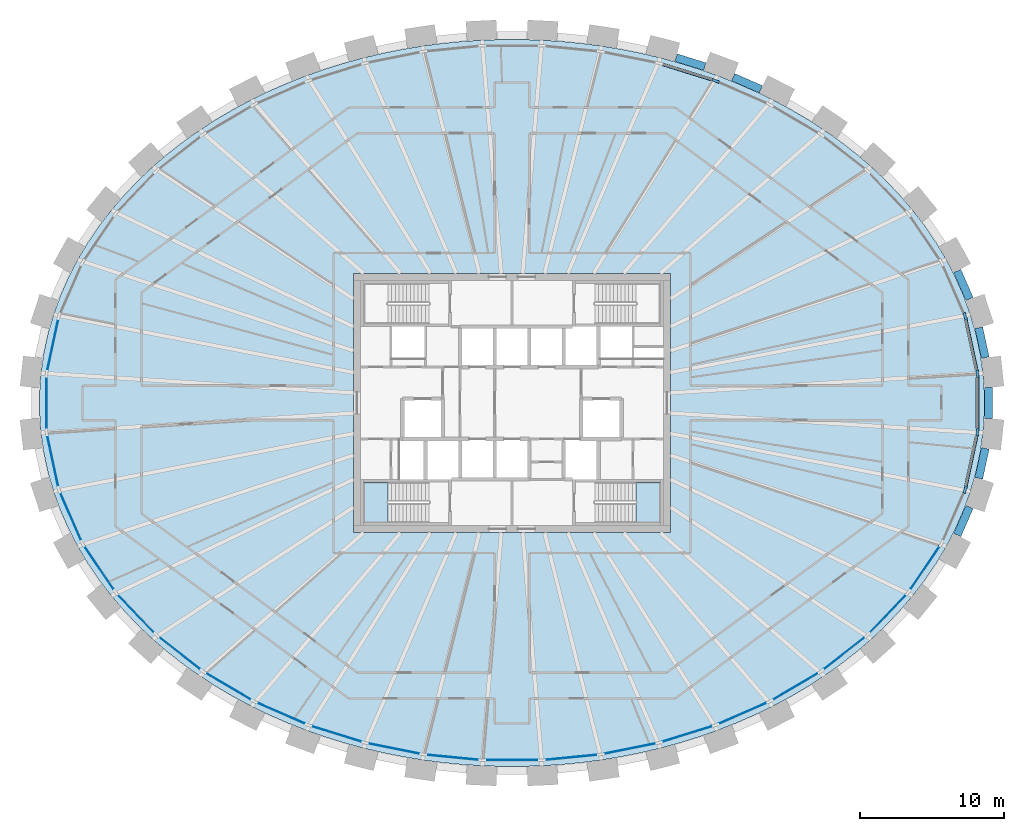
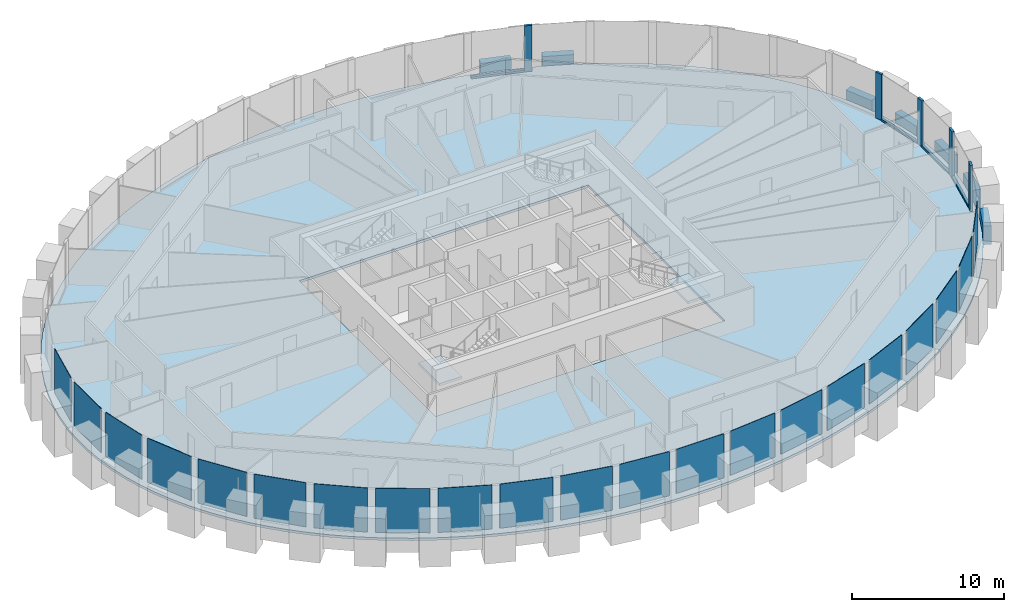
# One storey, part 4 of 12: 21 plates, 9 members, 7 beams, 3 slabs, 3 elements without a shape of their own.
"""IFC4 building model written with IfcOpenShell, lengths in metres."""

from ifc_helpers import new_model, si_unit, direction, frame, origin, origin_2d, place, context, subcontext, project, spatial, polyline, rectangle, outline, extrude, source, transform, mapped, material, layer, layer_set, material_profile, profile_set, type_object, element, aggregate, save


model = new_model("IFC4")

# Units and contexts
model_context = context("Model", 3, precision=1e-05, world=origin(), true_north=direction((0.0, 1.0)))
body_context = subcontext(model_context, "Body", "Model", "MODEL_VIEW")
ifc_project = project(units=[si_unit("LENGTHUNIT", "METRE"), si_unit("AREAUNIT", "SQUARE_METRE"), si_unit("VOLUMEUNIT", "CUBIC_METRE"), si_unit("PLANEANGLEUNIT", "RADIAN"), si_unit("MASSUNIT", "GRAM", prefix="KILO")], contexts=[model_context])

# Site, building, storey
site_placement = place(None, origin())
site = spatial("IfcSite", under=ifc_project, at=site_placement, CompositionType="ELEMENT")
building_placement = place(site_placement, origin())
building = spatial("IfcBuilding", under=site, at=building_placement, Name="Embergate Tower", CompositionType="ELEMENT")
storey_placement = place(building_placement, frame((0.0, 0.0, 246.10009765625)))
storey = spatial("IfcBuildingStorey", under=building, at=storey_placement, Name="L56", CompositionType="ELEMENT", Elevation=246.10009765625)

# Beams
ifc_material_1 = material(Name="Concrete C60", Category="concrete")
ifc_material_profile_1 = material_profile(ifc_material_1, rectangle(XDim=0.550048828125, YDim=1.5, at=origin_2d()), Name="RC 550x1500")
ifc_profile_set_1 = profile_set([ifc_material_profile_1], Name="Concrete C60")
beam_type = type_object("IfcBeamType", Name="Spandrel beam RC 550x1500 C60", PredefinedType="BEAM", material=ifc_profile_set_1)
shared_shape_1 = source(origin(), body_context, "Body", "SweptSolid", [
    extrude(rectangle(XDim=0.550048828125, YDim=1.5, at=origin_2d()), origin(), (0.0, 0.0, 1.0), 2.121337890625),
])
for number, where, z_axis, x_axis, name in (
    (1, (32.845947265625, 3.14892578125, 0.0), (-0.210259959119, 0.977645513257, 0.0), (-0.977645513257, -0.210259959119, 0.0), "SPN-L56-00"),
    (2, (32.39990234375, -5.222900390625, 0.0), (0.210259959119, 0.977645513257, 0.0), (-0.977645513257, 0.210259959119, 0.0), "SPN-L56-42"),
):
    element("IfcBeam", number, at=place(storey_placement, frame(where, z_axis=z_axis, x_axis=x_axis)), inside=storey, type_object=beam_type, Name=name, PredefinedType="BEAM", context=body_context, shape_type="MappedRepresentation", body=[
        mapped(shared_shape_1, transform((0.0, 0.0, 0.0))),
    ])
shared_shape_2 = source(origin(), body_context, "Body", "SweptSolid", [
    extrude(rectangle(XDim=0.550048828125, YDim=1.5, at=origin_2d()), origin(), (0.0, 0.0, 1.0), 2.118408203125),
])
for number, where, z_axis, x_axis, name in (
    (3, (31.75390625, 7.220947265625, 0.0), (-0.401653016285, 0.915791927519, 0.0), (-0.915791927519, -0.401653016285, 0.0), "SPN-L56-01"),
    (4, (30.903076171875, -9.160888671875, 0.0), (0.401653016285, 0.915791927519, 0.0), (-0.915791927519, 0.401653016285, 0.0), "SPN-L56-41"),
):
    element("IfcBeam", number, at=place(storey_placement, frame(where, z_axis=z_axis, x_axis=x_axis)), inside=storey, type_object=beam_type, Name=name, PredefinedType="BEAM", context=body_context, shape_type="MappedRepresentation", body=[
        mapped(shared_shape_2, transform((0.0, 0.0, 0.0))),
    ])
shared_shape_3 = source(origin(), body_context, "Body", "SweptSolid", [
    extrude(rectangle(XDim=0.550048828125, YDim=1.5, at=origin_2d()), origin(), (0.0, 0.0, 1.0), 2.093994140625),
])
beam_1_placement = place(storey_placement, frame((17.26904296875, 21.77587890625, 0.0), z_axis=(-0.916403340616, 0.400256064674, 0.0), x_axis=(-0.400256064674, -0.916403340616, 0.0)))
element("IfcBeam", 5, at=beam_1_placement, inside=storey, type_object=beam_type, Name="SPN-L56-06", PredefinedType="BEAM", context=body_context, shape_type="MappedRepresentation", body=[
    mapped(shared_shape_3, transform((0.0, 0.0, 0.0))),
])
shared_shape_4 = source(origin(), body_context, "Body", "SweptSolid", [
    extrude(rectangle(XDim=0.550048828125, YDim=1.5, at=origin_2d()), origin(), (0.0, 0.0, 1.0), 2.092529296875),
])
beam_2_placement = place(storey_placement, frame((13.383056640625, 23.347900390625, 0.0), z_axis=(-0.954794982035, 0.297265104378, 0.0), x_axis=(-0.297265104378, -0.954794982035, 0.0)))
element("IfcBeam", 6, at=beam_2_placement, inside=storey, type_object=beam_type, Name="SPN-L56-07", PredefinedType="BEAM", context=body_context, shape_type="MappedRepresentation", body=[
    mapped(shared_shape_4, transform((0.0, 0.0, 0.0))),
])
shared_shape_5 = source(origin(), body_context, "Body", "SweptSolid", [
    extrude(rectangle(XDim=0.550048828125, YDim=1.5, at=origin_2d()), origin(), (0.0, 0.0, 1.0), 2.1220703125),
])
beam_3_placement = place(storey_placement, frame((33.068115234375, -1.06103515625, 0.0), z_axis=(0.0, 1.0, 0.0), x_axis=(-1.0, 0.0, 0.0)))
element("IfcBeam", 7, at=beam_3_placement, inside=storey, type_object=beam_type, Name="SPN-L56-43", PredefinedType="BEAM", context=body_context, shape_type="MappedRepresentation", body=[
    mapped(shared_shape_5, transform((0.0, 0.0, 0.0))),
])

# Curtain wall, members
ifc_material_2 = material(Name="Aluminium and glass", Category="aluminium")
curtain_wall_type = type_object("IfcCurtainWallType", Name="Recessed office glazing", PredefinedType="NOTDEFINED", material=ifc_material_2)
curtain_wall_placement = place(storey_placement, origin())
curtain_wall = element("IfcCurtainWall", 8, at=curtain_wall_placement, inside=storey, type_object=curtain_wall_type, Name="Recessed office glazing ring", ObjectType="RECESSED OFFICE GLAZING", PredefinedType="USERDEFINED")
ifc_material_3 = material(Name="Aluminium, thermally broken", Category="aluminium")
ifc_material_profile_2 = material_profile(ifc_material_3, rectangle(XDim=0.179931640625, YDim=0.52001953125, at=origin_2d()), Name="AL 520x180")
ifc_profile_set_2 = profile_set([ifc_material_profile_2], Name="Aluminium, thermally broken")
member_type_1 = type_object("IfcMemberType", Name="Office mullion", PredefinedType="MULLION", material=ifc_profile_set_2)
shared_shape_6 = source(origin(), body_context, "Body", "SweptSolid", [
    extrude(rectangle(XDim=0.179931640625, YDim=0.52001953125, at=origin_2d()), origin(), (0.0, 0.0, 1.0), 3.699951171875),
])
member_1_placement = place(storey_placement, frame((32.304931640625, 2.03515625, 0.0), z_axis=(0.0, 0.0, 1.0), x_axis=(-0.994384585337, -0.105826728403, 0.0)))
member_1 = element("IfcMember", 9, at=member_1_placement, type_object=member_type_1, Name="CW mullion 1", PredefinedType="MULLION", context=body_context, shape_type="MappedRepresentation", body=[
    mapped(shared_shape_6, transform((0.0, 0.0, 0.0))),
])
member_2_placement = place(storey_placement, frame((31.447998046875, 6.01708984375, 0.0), z_axis=(0.0, 0.0, 1.0), x_axis=(-0.951495650128, -0.307662197527, 0.0)))
member_2 = element("IfcMember", 10, at=member_2_placement, type_object=member_type_1, Name="CW mullion 2", PredefinedType="MULLION", context=body_context, shape_type="MappedRepresentation", body=[
    mapped(shared_shape_6, transform((0.0, 0.0, 0.0))),
])
member_3_placement = place(storey_placement, frame((14.1337890625, 22.35595703125, 0.0), z_axis=(0.0, 0.0, 1.0), x_axis=(-0.349502682851, -0.936935363128, 0.0)))
member_3 = element("IfcMember", 11, at=member_3_placement, type_object=member_type_1, Name="CW mullion 8", PredefinedType="MULLION", context=body_context, shape_type="MappedRepresentation", body=[
    mapped(shared_shape_6, transform((0.0, 0.0, 0.0))),
])
member_4_placement = place(storey_placement, frame((31.447998046875, -6.01708984375, 0.0), z_axis=(0.0, 0.0, 1.0), x_axis=(-0.951495650128, 0.307662197527, 0.0)))
member_4 = element("IfcMember", 12, at=member_4_placement, type_object=member_type_1, Name="CW mullion 43", PredefinedType="MULLION", context=body_context, shape_type="MappedRepresentation", body=[
    mapped(shared_shape_6, transform((0.0, 0.0, 0.0))),
])
member_5_placement = place(storey_placement, frame((32.304931640625, -2.03515625, 0.0), z_axis=(0.0, 0.0, 1.0), x_axis=(-0.994384585337, 0.105826728403, 0.0)))
member_5 = element("IfcMember", 13, at=member_5_placement, type_object=member_type_1, Name="CW mullion 44", PredefinedType="MULLION", context=body_context, shape_type="MappedRepresentation", body=[
    mapped(shared_shape_6, transform((0.0, 0.0, 0.0))),
])
ifc_material_profile_3 = material_profile(ifc_material_3, rectangle(XDim=0.179931640625, YDim=0.14990234375, at=origin_2d()), Name="AL 150x180")
ifc_profile_set_3 = profile_set([ifc_material_profile_3], Name="Aluminium, thermally broken")
member_type_2 = type_object("IfcMemberType", Name="Office sill transom", PredefinedType="USERDEFINED", material=ifc_profile_set_3)
shared_shape_7 = source(origin(), body_context, "Body", "SweptSolid", [
    extrude(rectangle(XDim=0.179931640625, YDim=0.14990234375, at=origin_2d()), origin(), (0.0, 0.0, 1.0), 3.552978515625),
])
member_6_placement = place(storey_placement, frame((32.250244140625, 2.289306640625, 0.074951171875), z_axis=(-0.210406550267, 0.977613974739, 0.0), x_axis=(-0.977613974739, -0.210406550267, 0.0)))
member_6 = element("IfcMember", 14, at=member_6_placement, type_object=member_type_2, Name="CW transom 1.1", ObjectType="TRANSOM", PredefinedType="USERDEFINED", context=body_context, shape_type="MappedRepresentation", body=[
    mapped(shared_shape_7, transform((0.0, 0.0, 0.0))),
])
member_7_placement = place(storey_placement, frame((31.502685546875, -5.7626953125, 0.074951171875), z_axis=(0.210406550267, 0.977613974739, 0.0), x_axis=(-0.977613974739, 0.210406550267, 0.0)))
member_7 = element("IfcMember", 15, at=member_7_placement, type_object=member_type_2, Name="CW transom 43.1", ObjectType="TRANSOM", PredefinedType="USERDEFINED", context=body_context, shape_type="MappedRepresentation", body=[
    mapped(shared_shape_7, transform((0.0, 0.0, 0.0))),
])
shared_shape_8 = source(origin(), body_context, "Body", "SweptSolid", [
    extrude(rectangle(XDim=0.179931640625, YDim=0.14990234375, at=origin_2d()), origin(), (0.0, 0.0, 1.0), 3.59814453125),
])
member_8_placement = place(storey_placement, frame((13.8857421875, 22.43310546875, 0.074951171875), z_axis=(-0.954772906147, 0.297336001332, 0.0), x_axis=(-0.297336001332, -0.954772906147, 0.0)))
member_8 = element("IfcMember", 16, at=member_8_placement, type_object=member_type_2, Name="CW transom 8.1", ObjectType="TRANSOM", PredefinedType="USERDEFINED", context=body_context, shape_type="MappedRepresentation", body=[
    mapped(shared_shape_8, transform((0.0, 0.0, 0.0))),
])
shared_shape_9 = source(origin(), body_context, "Body", "SweptSolid", [
    extrude(rectangle(XDim=0.179931640625, YDim=0.14990234375, at=origin_2d()), origin(), (0.0, 0.0, 1.0), 3.55029296875),
])
member_9_placement = place(storey_placement, frame((32.304931640625, -1.775146484375, 0.074951171875), z_axis=(0.0, 1.0, 0.0), x_axis=(-1.0, 0.0, 0.0)))
member_9 = element("IfcMember", 17, at=member_9_placement, type_object=member_type_2, Name="CW transom 44.1", ObjectType="TRANSOM", PredefinedType="USERDEFINED", context=body_context, shape_type="MappedRepresentation", body=[
    mapped(shared_shape_9, transform((0.0, 0.0, 0.0))),
])

# Slab
ifc_material_4 = material(Name="Concrete C40", Category="concrete")
ifc_layer_1 = layer(ifc_material_4, 0.199951171875)
ifc_layer_set_1 = layer_set([ifc_layer_1], Name="Concrete C40")
slab_type_1 = type_object("IfcSlabType", Name="Composite floor slab C40 200", PredefinedType="FLOOR", material=ifc_layer_set_1)
shared_shape_10 = source(origin(), body_context, "Body", "SweptSolid", [
    extrude(outline(polyline([(0.0, 0.0), (1.38818359375, 0.0), (2.774169921875, 0.044921875), (4.1611328125, 0.135009765625), (5.5419921875, 0.27099609375), (6.9140625, 0.4521484375), (8.2880859375, 0.678955078125), (9.648193359375, 0.9521484375), (10.9921875, 1.27001953125), (12.339111328125, 1.636962890625), (13.6640625, 2.050048828125), (14.964111328125, 2.507080078125), (16.26611328125, 3.01806640625), (17.537109375, 3.573974609375), (18.775146484375, 4.173095703125), (20.010986328125, 4.8330078125), (21.20703125, 5.5361328125), (22.360107421875, 6.281005859375), (23.505126953125, 7.093017578125), (24.59814453125, 7.947021484375), (25.63818359375, 8.839111328125), (26.658203125, 9.804931640625), (27.614990234375, 10.80908203125), (28.507080078125, 11.84814453125), (29.362060546875, 12.9619140625), (30.14208984375, 14.109130859375), (30.843994140625, 15.284912109375), (31.488037109375, 16.530029296875), (32.044189453125, 17.800048828125), (32.51318359375, 19.090087890625), (32.900146484375, 20.430908203125), (33.191162109375, 21.7861328125), (33.38720703125, 23.151123046875), (33.486083984375, 24.534912109375), (33.486083984375, 25.921142578125), (33.38720703125, 27.304931640625), (33.191162109375, 28.669921875), (32.900146484375, 30.025146484375), (32.51318359375, 31.365966796875), (32.044189453125, 32.656005859375), (31.488037109375, 33.926025390625), (30.843994140625, 35.171142578125), (30.14208984375, 36.346923828125), (29.362060546875, 37.494140625), (28.507080078125, 38.60791015625), (27.614990234375, 39.64697265625), (26.658203125, 40.651123046875), (25.63818359375, 41.616943359375), (24.59814453125, 42.509033203125), (23.505126953125, 43.363037109375), (22.360107421875, 44.175048828125), (21.20703125, 44.919921875), (20.010986328125, 45.623046875), (18.775146484375, 46.282958984375), (17.537109375, 46.882080078125), (16.26611328125, 47.43798828125), (14.964111328125, 47.948974609375), (13.6640625, 48.406005859375), (12.339111328125, 48.819091796875), (10.9921875, 49.18603515625), (9.648193359375, 49.50390625), (8.2880859375, 49.777099609375), (6.9140625, 50.00390625), (5.5419921875, 50.18505859375), (4.1611328125, 50.321044921875), (2.774169921875, 50.4111328125), (1.38818359375, 50.4560546875), (0.0, 50.4560546875), (-1.385986328125, 50.4111328125), (-2.77294921875, 50.321044921875), (-4.15380859375, 50.18505859375), (-5.52587890625, 50.00390625), (-6.89990234375, 49.777099609375), (-8.260009765625, 49.50390625), (-9.60400390625, 49.18603515625), (-10.950927734375, 48.819091796875), (-12.27587890625, 48.406005859375), (-13.575927734375, 47.948974609375), (-14.8779296875, 47.43798828125), (-16.14892578125, 46.882080078125), (-17.386962890625, 46.282958984375), (-18.622802734375, 45.623046875), (-19.81884765625, 44.919921875), (-20.971923828125, 44.175048828125), (-22.116943359375, 43.363037109375), (-23.2099609375, 42.509033203125), (-24.25, 41.616943359375), (-25.27001953125, 40.651123046875), (-26.226806640625, 39.64697265625), (-27.118896484375, 38.60791015625), (-27.973876953125, 37.494140625), (-28.75390625, 36.346923828125), (-29.455810546875, 35.171142578125), (-30.099853515625, 33.926025390625), (-30.656005859375, 32.656005859375), (-31.125, 31.365966796875), (-31.511962890625, 30.025146484375), (-31.802978515625, 28.669921875), (-31.9990234375, 27.304931640625), (-32.097900390625, 25.921142578125), (-32.097900390625, 24.534912109375), (-31.9990234375, 23.151123046875), (-31.802978515625, 21.7861328125), (-31.511962890625, 20.430908203125), (-31.125, 19.090087890625), (-30.656005859375, 17.800048828125), (-30.099853515625, 16.530029296875), (-29.455810546875, 15.284912109375), (-28.75390625, 14.109130859375), (-27.973876953125, 12.9619140625), (-27.118896484375, 11.84814453125), (-26.226806640625, 10.80908203125), (-25.27001953125, 9.804931640625), (-24.25, 8.839111328125), (-23.2099609375, 7.947021484375), (-22.116943359375, 7.093017578125), (-20.971923828125, 6.281005859375), (-19.81884765625, 5.5361328125), (-18.622802734375, 4.8330078125), (-17.386962890625, 4.173095703125), (-16.14892578125, 3.573974609375), (-14.8779296875, 3.01806640625), (-13.575927734375, 2.507080078125), (-12.27587890625, 2.050048828125), (-10.950927734375, 1.636962890625), (-9.60400390625, 1.27001953125), (-8.260009765625, 0.9521484375), (-6.89990234375, 0.678955078125), (-5.52587890625, 0.4521484375), (-4.15380859375, 0.27099609375), (-2.77294921875, 0.135009765625), (-1.385986328125, 0.044921875), (0.0, 0.0)]), holes=[polyline([(-10.305908203125, 16.22802734375), (-10.305908203125, 34.22802734375), (11.694091796875, 34.22802734375), (11.694091796875, 16.22802734375), (-10.305908203125, 16.22802734375)])]), origin(), (0.0, 0.0, 1.0), 0.2001953125),
])
slab_1_placement = place(storey_placement, frame((-0.694091796875, -25.22802734375, -0.2001953125)))
element("IfcSlab", 18, at=slab_1_placement, inside=storey, type_object=slab_type_1, Name="SLB-L56-00", PredefinedType="FLOOR", context=body_context, shape_type="MappedRepresentation", body=[
    mapped(shared_shape_10, transform((0.0, 0.0, 0.0))),
])

# Plate
ifc_material_5 = material(Name="Triple glazing, low-emissivity coating", Category="glass")
ifc_layer_2 = layer(ifc_material_5, 0.035888671875)
ifc_layer_set_2 = layer_set([ifc_layer_2], Name="Triple glazing, low-emissivity coating")
plate_type = type_object("IfcPlateType", Name="Office glazing unit", PredefinedType="CURTAIN_PANEL", material=ifc_layer_set_2)
shared_shape_11 = source(origin(), body_context, "Body", "SweptSolid", [
    extrude(rectangle(XDim=3.552978515625, YDim=0.035888671875, at=origin_2d()), origin(), (0.0, 0.0, 1.0), 3.550048828125),
])
plate_1_placement = place(storey_placement, frame((-31.87646484375, 4.026123046875, 0.14990234375), z_axis=(0.0, 0.0, 1.0), x_axis=(-0.210398391177, -0.97761573074, 0.0)))
plate_1 = element("IfcPlate", 19, at=plate_1_placement, type_object=plate_type, Name="CW panel 21.1", PredefinedType="CURTAIN_PANEL", context=body_context, shape_type="MappedRepresentation", body=[
    mapped(shared_shape_11, transform((0.0, 0.0, 0.0))),
])

plate_2_placement = place(storey_placement, frame((-31.87646484375, -4.026123046875, 0.14990234375), z_axis=(0.0, 0.0, 1.0), x_axis=(0.210398391177, -0.97761573074, 0.0)))
plate_2 = element("IfcPlate", 20, at=plate_2_placement, type_object=plate_type, Name="CW panel 23.1", PredefinedType="CURTAIN_PANEL", context=body_context, shape_type="MappedRepresentation", body=[
    mapped(shared_shape_11, transform((0.0, 0.0, 0.0))),
])

shared_shape_12 = source(origin(), body_context, "Body", "SweptSolid", [
    extrude(rectangle(XDim=3.559814453125, YDim=0.035888671875, at=origin_2d()), origin(), (0.0, 0.0, 1.0), 3.550048828125),
])
plate_3_placement = place(storey_placement, frame((-30.628662109375, -7.885009765625, 0.14990234375), z_axis=(0.0, 0.0, 1.0), x_axis=(0.401652101157, -0.91579232888, 0.0)))
plate_3 = element("IfcPlate", 21, at=plate_3_placement, type_object=plate_type, Name="CW panel 24.1", PredefinedType="CURTAIN_PANEL", context=body_context, shape_type="MappedRepresentation", body=[
    mapped(shared_shape_12, transform((0.0, 0.0, 0.0))),
])

shared_shape_13 = source(origin(), body_context, "Body", "SweptSolid", [
    extrude(rectangle(XDim=3.568603515625, YDim=0.035888671875, at=origin_2d()), origin(), (0.0, 0.0, 1.0), 3.550048828125),
])
plate_4_placement = place(storey_placement, frame((-28.659912109375, -11.443603515625, 0.14990234375), z_axis=(0.0, 0.0, 1.0), x_axis=(0.562341741915, -0.826904931234, 0.0)))
plate_4 = element("IfcPlate", 22, at=plate_4_placement, type_object=plate_type, Name="CW panel 25.1", PredefinedType="CURTAIN_PANEL", context=body_context, shape_type="MappedRepresentation", body=[
    mapped(shared_shape_13, transform((0.0, 0.0, 0.0))),
])

plate_5_placement = place(storey_placement, frame((28.659912109375, -11.443603515625, 0.14990234375), z_axis=(0.0, 0.0, 1.0), x_axis=(0.562341741915, 0.826904931234, 0.0)))
plate_5 = element("IfcPlate", 23, at=plate_5_placement, type_object=plate_type, Name="CW panel 41.1", PredefinedType="CURTAIN_PANEL", context=body_context, shape_type="MappedRepresentation", body=[
    mapped(shared_shape_13, transform((0.0, 0.0, 0.0))),
])

shared_shape_14 = source(origin(), body_context, "Body", "SweptSolid", [
    extrude(rectangle(XDim=3.576904296875, YDim=0.035888671875, at=origin_2d()), origin(), (0.0, 0.0, 1.0), 3.550048828125),
])
plate_6_placement = place(storey_placement, frame((-26.096435546875, -14.616455078125, 0.14990234375), z_axis=(0.0, 0.0, 1.0), x_axis=(0.690133784465, -0.723681808215, 0.0)))
plate_6 = element("IfcPlate", 24, at=plate_6_placement, type_object=plate_type, Name="CW panel 26.1", PredefinedType="CURTAIN_PANEL", context=body_context, shape_type="MappedRepresentation", body=[
    mapped(shared_shape_14, transform((0.0, 0.0, 0.0))),
])

plate_7_placement = place(storey_placement, frame((26.096435546875, -14.616455078125, 0.14990234375), z_axis=(0.0, 0.0, 1.0), x_axis=(0.690133784465, 0.723681808215, 0.0)))
plate_7 = element("IfcPlate", 25, at=plate_7_placement, type_object=plate_type, Name="CW panel 40.1", PredefinedType="CURTAIN_PANEL", context=body_context, shape_type="MappedRepresentation", body=[
    mapped(shared_shape_14, transform((0.0, 0.0, 0.0))),
])

shared_shape_15 = source(origin(), body_context, "Body", "SweptSolid", [
    extrude(rectangle(XDim=3.584228515625, YDim=0.035888671875, at=origin_2d()), origin(), (0.0, 0.0, 1.0), 3.550048828125),
])
plate_8_placement = place(storey_placement, frame((-23.06494140625, -17.361572265625, 0.14990234375), z_axis=(0.0, 0.0, 1.0), x_axis=(0.788319045413, -0.615266676035, 0.0)))
plate_8 = element("IfcPlate", 26, at=plate_8_placement, type_object=plate_type, Name="CW panel 27.1", PredefinedType="CURTAIN_PANEL", context=body_context, shape_type="MappedRepresentation", body=[
    mapped(shared_shape_15, transform((0.0, 0.0, 0.0))),
])

plate_9_placement = place(storey_placement, frame((23.06494140625, -17.361572265625, 0.14990234375), z_axis=(0.0, 0.0, 1.0), x_axis=(0.788319045413, 0.615266676035, 0.0)))
plate_9 = element("IfcPlate", 27, at=plate_9_placement, type_object=plate_type, Name="CW panel 39.1", PredefinedType="CURTAIN_PANEL", context=body_context, shape_type="MappedRepresentation", body=[
    mapped(shared_shape_15, transform((0.0, 0.0, 0.0))),
])

shared_shape_16 = source(origin(), body_context, "Body", "SweptSolid", [
    extrude(rectangle(XDim=3.590087890625, YDim=0.035888671875, at=origin_2d()), origin(), (0.0, 0.0, 1.0), 3.550048828125),
])
plate_10_placement = place(storey_placement, frame((-19.675537109375, -19.665771484375, 0.14990234375), z_axis=(0.0, 0.0, 1.0), x_axis=(0.862051398678, -0.50682086188, 0.0)))
plate_10 = element("IfcPlate", 28, at=plate_10_placement, type_object=plate_type, Name="CW panel 28.1", PredefinedType="CURTAIN_PANEL", context=body_context, shape_type="MappedRepresentation", body=[
    mapped(shared_shape_16, transform((0.0, 0.0, 0.0))),
])

plate_11_placement = place(storey_placement, frame((19.675537109375, -19.665771484375, 0.14990234375), z_axis=(0.0, 0.0, 1.0), x_axis=(0.862051398678, 0.50682086188, 0.0)))
plate_11 = element("IfcPlate", 29, at=plate_11_placement, type_object=plate_type, Name="CW panel 38.1", PredefinedType="CURTAIN_PANEL", context=body_context, shape_type="MappedRepresentation", body=[
    mapped(shared_shape_16, transform((0.0, 0.0, 0.0))),
])

shared_shape_17 = source(origin(), body_context, "Body", "SweptSolid", [
    extrude(rectangle(XDim=3.5947265625, YDim=0.035888671875, at=origin_2d()), origin(), (0.0, 0.0, 1.0), 3.550048828125),
])
plate_12_placement = place(storey_placement, frame((-16.01904296875, -21.531494140625, 0.14990234375), z_axis=(0.0, 0.0, 1.0), x_axis=(0.916234813243, -0.400641694037, 0.0)))
plate_12 = element("IfcPlate", 30, at=plate_12_placement, type_object=plate_type, Name="CW panel 29.1", PredefinedType="CURTAIN_PANEL", context=body_context, shape_type="MappedRepresentation", body=[
    mapped(shared_shape_17, transform((0.0, 0.0, 0.0))),
])

plate_13_placement = place(storey_placement, frame((16.01904296875, -21.531494140625, 0.14990234375), z_axis=(0.0, 0.0, 1.0), x_axis=(0.916234813243, 0.400641694037, 0.0)))
plate_13 = element("IfcPlate", 31, at=plate_13_placement, type_object=plate_type, Name="CW panel 37.1", PredefinedType="CURTAIN_PANEL", context=body_context, shape_type="MappedRepresentation", body=[
    mapped(shared_shape_17, transform((0.0, 0.0, 0.0))),
])

shared_shape_18 = source(origin(), body_context, "Body", "SweptSolid", [
    extrude(rectangle(XDim=3.597900390625, YDim=0.035888671875, at=origin_2d()), origin(), (0.0, 0.0, 1.0), 3.550048828125),
])
plate_14_placement = place(storey_placement, frame((-12.168212890625, -22.968017578125, 0.14990234375), z_axis=(0.0, 0.0, 1.0), x_axis=(0.954771179262, -0.297341546458, 0.0)))
plate_14 = element("IfcPlate", 32, at=plate_14_placement, type_object=plate_type, Name="CW panel 30.1", PredefinedType="CURTAIN_PANEL", context=body_context, shape_type="MappedRepresentation", body=[
    mapped(shared_shape_18, transform((0.0, 0.0, 0.0))),
])

plate_15_placement = place(storey_placement, frame((12.168212890625, -22.968017578125, 0.14990234375), z_axis=(0.0, 0.0, 1.0), x_axis=(0.954771179262, 0.297341546458, 0.0)))
plate_15 = element("IfcPlate", 33, at=plate_15_placement, type_object=plate_type, Name="CW panel 36.1", PredefinedType="CURTAIN_PANEL", context=body_context, shape_type="MappedRepresentation", body=[
    mapped(shared_shape_18, transform((0.0, 0.0, 0.0))),
])

shared_shape_19 = source(origin(), body_context, "Body", "SweptSolid", [
    extrude(rectangle(XDim=3.60009765625, YDim=0.035888671875, at=origin_2d()), origin(), (0.0, 0.0, 1.0), 3.550048828125),
])
plate_16_placement = place(storey_placement, frame((-8.182373046875, -23.9853515625, 0.14990234375), z_axis=(0.0, 0.0, 1.0), x_axis=(0.980475564207, -0.196640962142, 0.0)))
plate_16 = element("IfcPlate", 34, at=plate_16_placement, type_object=plate_type, Name="CW panel 31.1", PredefinedType="CURTAIN_PANEL", context=body_context, shape_type="MappedRepresentation", body=[
    mapped(shared_shape_19, transform((0.0, 0.0, 0.0))),
])

plate_17_placement = place(storey_placement, frame((8.182373046875, -23.9853515625, 0.14990234375), z_axis=(0.0, 0.0, 1.0), x_axis=(0.980475564207, 0.196640962142, 0.0)))
plate_17 = element("IfcPlate", 35, at=plate_17_placement, type_object=plate_type, Name="CW panel 35.1", PredefinedType="CURTAIN_PANEL", context=body_context, shape_type="MappedRepresentation", body=[
    mapped(shared_shape_19, transform((0.0, 0.0, 0.0))),
])

shared_shape_20 = source(origin(), body_context, "Body", "SweptSolid", [
    extrude(rectangle(XDim=3.601318359375, YDim=0.035888671875, at=origin_2d()), origin(), (0.0, 0.0, 1.0), 3.550048828125),
])
plate_18_placement = place(storey_placement, frame((-4.11181640625, -24.592041015625, 0.14990234375), z_axis=(0.0, 0.0, 1.0), x_axis=(0.995203184788, -0.097829550688, 0.0)))
plate_18 = element("IfcPlate", 36, at=plate_18_placement, type_object=plate_type, Name="CW panel 32.1", PredefinedType="CURTAIN_PANEL", context=body_context, shape_type="MappedRepresentation", body=[
    mapped(shared_shape_20, transform((0.0, 0.0, 0.0))),
])

plate_19_placement = place(storey_placement, frame((4.11181640625, -24.592041015625, 0.14990234375), z_axis=(0.0, 0.0, 1.0), x_axis=(0.995203184788, 0.097829550688, 0.0)))
plate_19 = element("IfcPlate", 37, at=plate_19_placement, type_object=plate_type, Name="CW panel 34.1", PredefinedType="CURTAIN_PANEL", context=body_context, shape_type="MappedRepresentation", body=[
    mapped(shared_shape_20, transform((0.0, 0.0, 0.0))),
])

shared_shape_21 = source(origin(), body_context, "Body", "SweptSolid", [
    extrude(rectangle(XDim=3.601806640625, YDim=0.035888671875, at=origin_2d()), origin(), (0.0, 0.0, 1.0), 3.550048828125),
])
plate_20_placement = place(storey_placement, frame((0.0, -24.793701171875, 0.14990234375), z_axis=(0.0, 0.0, 1.0), x_axis=(1.0, 0.0, 0.0)))
plate_20 = element("IfcPlate", 38, at=plate_20_placement, type_object=plate_type, Name="CW panel 33.1", PredefinedType="CURTAIN_PANEL", context=body_context, shape_type="MappedRepresentation", body=[
    mapped(shared_shape_21, transform((0.0, 0.0, 0.0))),
])

shared_shape_22 = source(origin(), body_context, "Body", "SweptSolid", [
    extrude(rectangle(XDim=3.55029296875, YDim=0.035888671875, at=origin_2d()), origin(), (0.0, 0.0, 1.0), 3.550048828125),
])
plate_21_placement = place(storey_placement, frame((-32.304931640625, 0.0, 0.14990234375), z_axis=(0.0, 0.0, 1.0), x_axis=(0.0, -1.0, 0.0)))
plate_21 = element("IfcPlate", 39, at=plate_21_placement, type_object=plate_type, Name="CW panel 22.1", PredefinedType="CURTAIN_PANEL", context=body_context, shape_type="MappedRepresentation", body=[
    mapped(shared_shape_22, transform((0.0, 0.0, 0.0))),
])

aggregate(curtain_wall, [member_1, member_2, member_3, member_4, member_5, member_6, member_8, plate_1, plate_21, plate_2, plate_3, plate_4, plate_6, plate_8, plate_10, plate_12, plate_14, plate_16, plate_18, plate_20, plate_19, plate_17, plate_15, plate_13, plate_11, plate_9, plate_7, plate_5, member_7, member_9])

# Stair, slab
ifc_material_6 = material(Name="Exit stair")
stair_type = type_object("IfcStairType", Name="Exit stair", PredefinedType="HALF_TURN_STAIR", material=ifc_material_6)
stair_1_placement = place(storey_placement, origin())
stair_1 = element("IfcStair", 40, at=stair_1_placement, inside=storey, type_object=stair_type, Name="L56 Exit stair 3", PredefinedType="HALF_TURN_STAIR")
ifc_layer_3 = layer(ifc_material_4, 0.199951171875)
ifc_layer_set_3 = layer_set([ifc_layer_3], Name="Concrete C40")
slab_type_2 = type_object("IfcSlabType", Name="Stair landing reinforced concrete", PredefinedType="LANDING", material=ifc_layer_set_3)
shared_shape_23 = source(origin(), body_context, "Body", "SweptSolid", [
    extrude(outline(polyline([(0.0, 0.0), (1.68994140625, 0.0), (1.68994140625, 2.800048828125), (0.0, 2.800048828125), (0.0, 0.0)])), origin(), (0.0, 0.0, 1.0), 0.199951171875),
])
slab_2_placement = place(storey_placement, frame((-10.300048828125, -8.300048828125, 1.75)))
slab_2 = element("IfcSlab", 41, at=slab_2_placement, type_object=slab_type_2, Name="ST3 landing 1", PredefinedType="LANDING", context=body_context, shape_type="MappedRepresentation", body=[
    mapped(shared_shape_23, transform((0.0, 0.0, 0.0))),
])
aggregate(stair_1, [slab_2])

stair_2_placement = place(storey_placement, origin())
stair_2 = element("IfcStair", 42, at=stair_2_placement, inside=storey, type_object=stair_type, Name="L56 Exit stair 4", PredefinedType="HALF_TURN_STAIR")
slab_3_placement = place(storey_placement, frame((8.610107421875, -8.300048828125, 1.75)))
slab_3 = element("IfcSlab", 43, at=slab_3_placement, type_object=slab_type_2, Name="ST4 landing 1", PredefinedType="LANDING", context=body_context, shape_type="MappedRepresentation", body=[
    mapped(shared_shape_23, transform((0.0, 0.0, 0.0))),
])
aggregate(stair_2, [slab_3])

save(model, "model.ifc")
